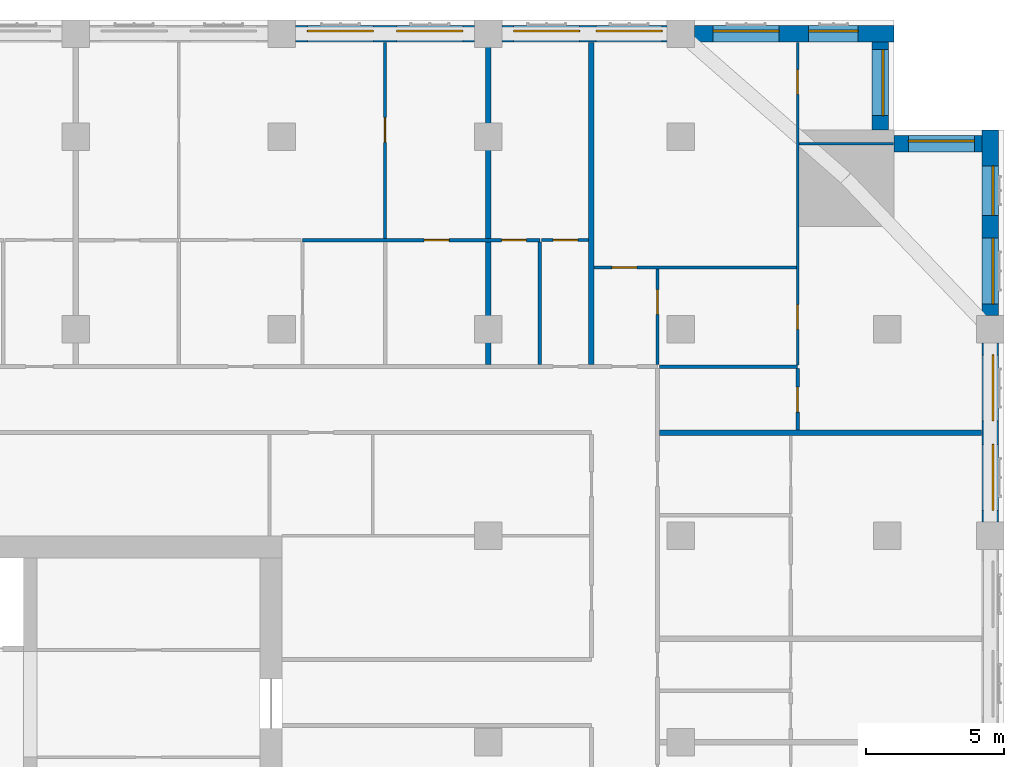
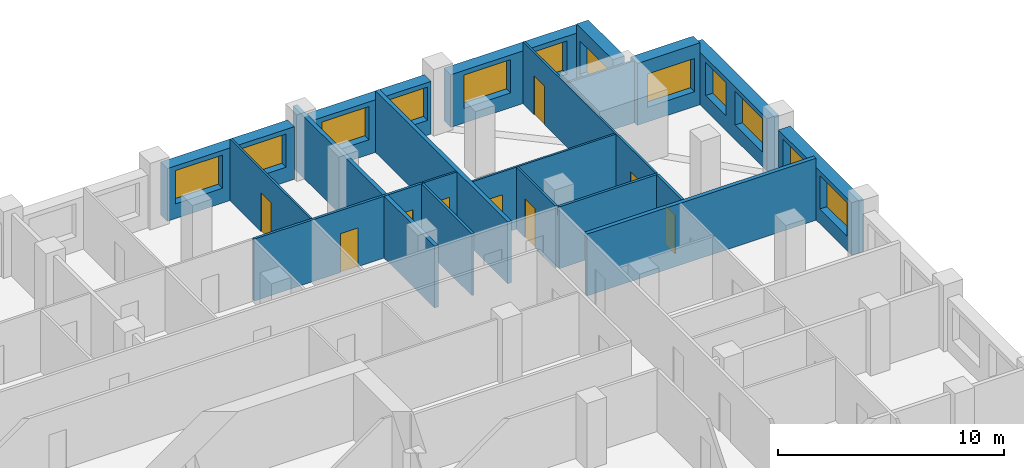
# One storey, part 11 of 14: 20 walls, 12 windows, 9 doors, 21 openings.
"""IFC4 building model written with IfcOpenShell, lengths in metres."""

from ifc_helpers import new_model, si_unit, direction, frame, frame_2d, origin, place, context, subcontext, project, spatial, rectangle, extrude, material, layer, layer_set, type_object, element, fill, save


model = new_model("IFC4")

# Units and contexts
model_context = context("Model", 3, precision=1e-05, world=origin(), true_north=direction((0.0, 1.0)))
body_context = subcontext(model_context, "Body", "Model", "MODEL_VIEW")
ifc_project = project(units=[si_unit("LENGTHUNIT", "METRE"), si_unit("AREAUNIT", "SQUARE_METRE"), si_unit("VOLUMEUNIT", "CUBIC_METRE"), si_unit("PLANEANGLEUNIT", "RADIAN"), si_unit("MASSUNIT", "GRAM", prefix="KILO")], contexts=[model_context])

# Site, building, storey
site_placement = place(None, origin())
site = spatial("IfcSite", under=ifc_project, at=site_placement, CompositionType="ELEMENT")
building_placement = place(site_placement, origin())
building = spatial("IfcBuilding", under=site, at=building_placement, Name="Tamorin Gate", CompositionType="ELEMENT")
storey_placement = place(building_placement, frame((0.0, 0.0, 155.39990234375)))
storey = spatial("IfcBuildingStorey", under=building, at=storey_placement, Name="L38", CompositionType="ELEMENT", Elevation=155.39990234375)

# Wall, openings, windows
ifc_material_1 = material(Name="Precast concrete C40/50", Category="concrete")
ifc_layer_1 = layer(ifc_material_1, 0.60009765625)
ifc_layer_set_1 = layer_set([ifc_layer_1], Name="Precast concrete C40/50")
wall_type_1 = type_object("IfcWallType", Name="Board-marked concrete facade panel 600", PredefinedType="SOLIDWALL", material=ifc_layer_set_1)
wall_1_placement = place(storey_placement, frame((85.75, 83.0, 0.0), z_axis=(0.0, 0.0, 1.0), x_axis=(0.0, 1.0, 0.0)))
wall_1 = element("IfcWall", 1, at=wall_1_placement, inside=storey, type_object=wall_type_1, Name="Facade panel", PredefinedType="SOLIDWALL", context=body_context, shape_type="SweptSolid", body=[
    extrude(rectangle(XDim=6.5, YDim=0.60009765625, at=frame_2d((3.25, 0.0))), origin(), (0.0, 0.0, 1.0), 2.85009765625),
])
opening_1_placement = place(wall_1_placement, frame((0.425048828125, 0.0, 0.800048828125)))
opening_1 = element("IfcOpeningElement", 2, at=opening_1_placement, cuts=wall_1, Name="Opening WN1", PredefinedType="OPENING", context=body_context, shape_type="SweptSolid", body=[
    extrude(rectangle(XDim=2.39990234375, YDim=1.800048828125, at=frame_2d((1.199951171875, 0.89990234375))), frame((0.0, 0.31005859375, 0.0), z_axis=(0.0, -1.0, 0.0), x_axis=(1.0, 0.0, 0.0)), (0.0, 0.0, 1.0), 0.6201171875),
])
opening_2_placement = place(wall_1_placement, frame((3.675048828125, 0.0, 0.800048828125)))
opening_2 = element("IfcOpeningElement", 3, at=opening_2_placement, cuts=wall_1, Name="Opening WN1", PredefinedType="OPENING", context=body_context, shape_type="SweptSolid", body=[
    extrude(rectangle(XDim=2.39990234375, YDim=1.800048828125, at=frame_2d((1.199951171875, 0.89990234375))), frame((0.0, 0.31005859375, 0.0), z_axis=(0.0, -1.0, 0.0), x_axis=(1.0, 0.0, 0.0)), (0.0, 0.0, 1.0), 0.6201171875),
])
ifc_material_2 = material(Name="Clear glass in aluminium frame", Category="aluminium")
window_type_1 = type_object("IfcWindowType", Name="Deep-set window 2400x1800", PartitioningType="SINGLE_PANEL", PredefinedType="WINDOW", material=ifc_material_2)
window_1_placement = place(opening_1_placement, origin())
window_1 = element("IfcWindow", 4, at=window_1_placement, inside=storey, type_object=window_type_1, Name="Deep-set window", OverallHeight=1.800048828125, OverallWidth=2.39990234375, PartitioningType="SINGLE_PANEL", PredefinedType="WINDOW", context=body_context, shape_type="SweptSolid", body=[
    extrude(rectangle(XDim=2.39990234375, YDim=1.800048828125, at=frame_2d((1.199951171875, 0.89990234375))), frame((0.0, -0.070068359375, 0.0), z_axis=(0.0, -1.0, 0.0), x_axis=(1.0, 0.0, 0.0)), (0.0, 0.0, 1.0), 0.06005859375),
])
fill(opening_1, window_1)
window_2_placement = place(opening_2_placement, origin())
window_2 = element("IfcWindow", 5, at=window_2_placement, inside=storey, type_object=window_type_1, Name="Deep-set window", OverallHeight=1.800048828125, OverallWidth=2.39990234375, PartitioningType="SINGLE_PANEL", PredefinedType="WINDOW", context=body_context, shape_type="SweptSolid", body=[
    extrude(rectangle(XDim=2.39990234375, YDim=1.800048828125, at=frame_2d((1.199951171875, 0.89990234375))), frame((0.0, -0.070068359375, 0.0), z_axis=(0.0, -1.0, 0.0), x_axis=(1.0, 0.0, 0.0)), (0.0, 0.0, 1.0), 0.06005859375),
])
fill(opening_2, window_2)

wall_2_placement = place(storey_placement, frame((85.75, 90.5, 0.0), z_axis=(0.0, 0.0, 1.0), x_axis=(0.0, 1.0, 0.0)))
wall_2 = element("IfcWall", 6, at=wall_2_placement, inside=storey, type_object=wall_type_1, Name="Facade panel", PredefinedType="SOLIDWALL", context=body_context, shape_type="SweptSolid", body=[
    extrude(rectangle(XDim=6.75, YDim=0.60009765625, at=frame_2d((3.375, 0.0))), origin(), (0.0, 0.0, 1.0), 2.85009765625),
])
opening_3_placement = place(wall_2_placement, frame((0.425048828125, 0.0, 0.800048828125)))
opening_3 = element("IfcOpeningElement", 7, at=opening_3_placement, cuts=wall_2, Name="Opening WN1", PredefinedType="OPENING", context=body_context, shape_type="SweptSolid", body=[
    extrude(rectangle(XDim=2.39990234375, YDim=1.800048828125, at=frame_2d((1.199951171875, 0.89990234375))), frame((0.0, 0.31005859375, 0.0), z_axis=(0.0, -1.0, 0.0), x_axis=(1.0, 0.0, 0.0)), (0.0, 0.0, 1.0), 0.6201171875),
])
opening_4_placement = place(wall_2_placement, frame((3.64990234375, 0.0, 0.800048828125)))
opening_4 = element("IfcOpeningElement", 8, at=opening_4_placement, cuts=wall_2, Name="Opening WN2", PredefinedType="OPENING", context=body_context, shape_type="SweptSolid", body=[
    extrude(rectangle(XDim=1.800048828125, YDim=1.800048828125, at=frame_2d((0.89990234375, 0.89990234375))), frame((0.0, 0.31005859375, 0.0), z_axis=(0.0, -1.0, 0.0), x_axis=(1.0, 0.0, 0.0)), (0.0, 0.0, 1.0), 0.6201171875),
])
window_type_2 = type_object("IfcWindowType", Name="Deep-set window 1800x1800", PartitioningType="SINGLE_PANEL", PredefinedType="WINDOW", material=ifc_material_2)
window_3_placement = place(opening_4_placement, origin())
window_3 = element("IfcWindow", 9, at=window_3_placement, inside=storey, type_object=window_type_2, Name="Deep-set window", OverallHeight=1.800048828125, OverallWidth=1.800048828125, PartitioningType="SINGLE_PANEL", PredefinedType="WINDOW", context=body_context, shape_type="SweptSolid", body=[
    extrude(rectangle(XDim=1.800048828125, YDim=1.800048828125, at=frame_2d((0.89990234375, 0.89990234375))), frame((0.0, -0.070068359375, 0.0), z_axis=(0.0, -1.0, 0.0), x_axis=(1.0, 0.0, 0.0)), (0.0, 0.0, 1.0), 0.06005859375),
])
fill(opening_4, window_3)
window_4_placement = place(opening_3_placement, origin())
window_4 = element("IfcWindow", 10, at=window_4_placement, inside=storey, type_object=window_type_1, Name="Deep-set window", OverallHeight=1.800048828125, OverallWidth=2.39990234375, PartitioningType="SINGLE_PANEL", PredefinedType="WINDOW", context=body_context, shape_type="SweptSolid", body=[
    extrude(rectangle(XDim=2.39990234375, YDim=1.800048828125, at=frame_2d((1.199951171875, 0.89990234375))), frame((0.0, -0.070068359375, 0.0), z_axis=(0.0, -1.0, 0.0), x_axis=(1.0, 0.0, 0.0)), (0.0, 0.0, 1.0), 0.06005859375),
])
fill(opening_3, window_4)

# Wall, opening, window
wall_3_placement = place(storey_placement, frame((85.449951171875, 96.75, 0.0), z_axis=(0.0, 0.0, 1.0), x_axis=(-1.0, 0.0, 0.0)))
wall_3 = element("IfcWall", 11, at=wall_3_placement, inside=storey, type_object=wall_type_1, Name="Facade panel", PredefinedType="SOLIDWALL", context=body_context, shape_type="SweptSolid", body=[
    extrude(rectangle(XDim=3.199951171875, YDim=0.60009765625, at=frame_2d((1.60009765625, 0.0))), origin(), (0.0, 0.0, 1.0), 3.35009765625),
])
opening_5_placement = place(wall_3_placement, frame((0.27490234375, 0.0, 0.800048828125)))
opening_5 = element("IfcOpeningElement", 12, at=opening_5_placement, cuts=wall_3, Name="Opening WN1", PredefinedType="OPENING", context=body_context, shape_type="SweptSolid", body=[
    extrude(rectangle(XDim=2.39990234375, YDim=1.800048828125, at=frame_2d((1.199951171875, 0.89990234375))), frame((0.0, 0.31005859375, 0.0), z_axis=(0.0, -1.0, 0.0), x_axis=(1.0, 0.0, 0.0)), (0.0, 0.0, 1.0), 0.6201171875),
])
window_5_placement = place(opening_5_placement, origin())
window_5 = element("IfcWindow", 13, at=window_5_placement, inside=storey, type_object=window_type_1, Name="Deep-set window", OverallHeight=1.800048828125, OverallWidth=2.39990234375, PartitioningType="SINGLE_PANEL", PredefinedType="WINDOW", context=body_context, shape_type="SweptSolid", body=[
    extrude(rectangle(XDim=2.39990234375, YDim=1.800048828125, at=frame_2d((1.199951171875, 0.89990234375))), frame((0.0, -0.070068359375, 0.0), z_axis=(0.0, -1.0, 0.0), x_axis=(1.0, 0.0, 0.0)), (0.0, 0.0, 1.0), 0.06005859375),
])
fill(opening_5, window_5)

wall_4_placement = place(storey_placement, frame((81.75, 97.25, 0.0), z_axis=(0.0, 0.0, 1.0), x_axis=(0.0, 1.0, 0.0)))
wall_4 = element("IfcWall", 14, at=wall_4_placement, inside=storey, type_object=wall_type_1, Name="Facade panel", PredefinedType="SOLIDWALL", context=body_context, shape_type="SweptSolid", body=[
    extrude(rectangle(XDim=3.199951171875, YDim=0.60009765625, at=frame_2d((1.60009765625, 0.0))), origin(), (0.0, 0.0, 1.0), 3.35009765625),
])
opening_6_placement = place(wall_4_placement, frame((0.52490234375, 0.0, 0.800048828125)))
opening_6 = element("IfcOpeningElement", 15, at=opening_6_placement, cuts=wall_4, Name="Opening WN1", PredefinedType="OPENING", context=body_context, shape_type="SweptSolid", body=[
    extrude(rectangle(XDim=2.39990234375, YDim=1.800048828125, at=frame_2d((1.199951171875, 0.89990234375))), frame((0.0, 0.31005859375, 0.0), z_axis=(0.0, -1.0, 0.0), x_axis=(1.0, 0.0, 0.0)), (0.0, 0.0, 1.0), 0.6201171875),
])
window_6_placement = place(opening_6_placement, origin())
window_6 = element("IfcWindow", 16, at=window_6_placement, inside=storey, type_object=window_type_1, Name="Deep-set window", OverallHeight=1.800048828125, OverallWidth=2.39990234375, PartitioningType="SINGLE_PANEL", PredefinedType="WINDOW", context=body_context, shape_type="SweptSolid", body=[
    extrude(rectangle(XDim=2.39990234375, YDim=1.800048828125, at=frame_2d((1.199951171875, 0.89990234375))), frame((0.0, -0.070068359375, 0.0), z_axis=(0.0, -1.0, 0.0), x_axis=(1.0, 0.0, 0.0)), (0.0, 0.0, 1.0), 0.06005859375),
])
fill(opening_6, window_6)

# Wall, openings, windows
wall_5_placement = place(storey_placement, frame((82.25, 100.75, 0.0), z_axis=(0.0, 0.0, 1.0), x_axis=(-1.0, 0.0, 0.0)))
wall_5 = element("IfcWall", 17, at=wall_5_placement, inside=storey, type_object=wall_type_1, Name="Facade panel", PredefinedType="SOLIDWALL", context=body_context, shape_type="SweptSolid", body=[
    extrude(rectangle(XDim=7.25, YDim=0.60009765625, at=frame_2d((3.625, 0.0))), origin(), (0.0, 0.0, 1.0), 2.85009765625),
])
opening_7_placement = place(wall_5_placement, frame((4.175048828125, 0.0, 0.800048828125)))
opening_7 = element("IfcOpeningElement", 18, at=opening_7_placement, cuts=wall_5, Name="Opening WN1", PredefinedType="OPENING", context=body_context, shape_type="SweptSolid", body=[
    extrude(rectangle(XDim=2.39990234375, YDim=1.800048828125, at=frame_2d((1.199951171875, 0.89990234375))), frame((0.0, 0.31005859375, 0.0), z_axis=(0.0, -1.0, 0.0), x_axis=(1.0, 0.0, 0.0)), (0.0, 0.0, 1.0), 0.6201171875),
])
opening_8_placement = place(wall_5_placement, frame((1.300048828125, 0.0, 0.800048828125)))
opening_8 = element("IfcOpeningElement", 19, at=opening_8_placement, cuts=wall_5, Name="Opening WN2", PredefinedType="OPENING", context=body_context, shape_type="SweptSolid", body=[
    extrude(rectangle(XDim=1.800048828125, YDim=1.800048828125, at=frame_2d((0.89990234375, 0.89990234375))), frame((0.0, 0.31005859375, 0.0), z_axis=(0.0, -1.0, 0.0), x_axis=(1.0, 0.0, 0.0)), (0.0, 0.0, 1.0), 0.6201171875),
])
window_7_placement = place(opening_8_placement, origin())
window_7 = element("IfcWindow", 20, at=window_7_placement, inside=storey, type_object=window_type_2, Name="Deep-set window", OverallHeight=1.800048828125, OverallWidth=1.800048828125, PartitioningType="SINGLE_PANEL", PredefinedType="WINDOW", context=body_context, shape_type="SweptSolid", body=[
    extrude(rectangle(XDim=1.800048828125, YDim=1.800048828125, at=frame_2d((0.89990234375, 0.89990234375))), frame((0.0, -0.070068359375, 0.0), z_axis=(0.0, -1.0, 0.0), x_axis=(1.0, 0.0, 0.0)), (0.0, 0.0, 1.0), 0.06005859375),
])
fill(opening_8, window_7)
window_8_placement = place(opening_7_placement, origin())
window_8 = element("IfcWindow", 21, at=window_8_placement, inside=storey, type_object=window_type_1, Name="Deep-set window", OverallHeight=1.800048828125, OverallWidth=2.39990234375, PartitioningType="SINGLE_PANEL", PredefinedType="WINDOW", context=body_context, shape_type="SweptSolid", body=[
    extrude(rectangle(XDim=2.39990234375, YDim=1.800048828125, at=frame_2d((1.199951171875, 0.89990234375))), frame((0.0, -0.070068359375, 0.0), z_axis=(0.0, -1.0, 0.0), x_axis=(1.0, 0.0, 0.0)), (0.0, 0.0, 1.0), 0.06005859375),
])
fill(opening_7, window_8)

wall_6_placement = place(storey_placement, frame((74.0, 100.75, 0.0), z_axis=(0.0, 0.0, 1.0), x_axis=(-1.0, 0.0, 0.0)))
wall_6 = element("IfcWall", 22, at=wall_6_placement, inside=storey, type_object=wall_type_1, Name="Facade panel", PredefinedType="SOLIDWALL", context=body_context, shape_type="SweptSolid", body=[
    extrude(rectangle(XDim=6.0, YDim=0.60009765625, at=frame_2d((3.0, 0.0))), origin(), (0.0, 0.0, 1.0), 2.85009765625),
])
opening_9_placement = place(wall_6_placement, frame((3.175048828125, 0.0, 0.800048828125)))
opening_9 = element("IfcOpeningElement", 23, at=opening_9_placement, cuts=wall_6, Name="Opening WN1", PredefinedType="OPENING", context=body_context, shape_type="SweptSolid", body=[
    extrude(rectangle(XDim=2.39990234375, YDim=1.800048828125, at=frame_2d((1.199951171875, 0.89990234375))), frame((0.0, 0.31005859375, 0.0), z_axis=(0.0, -1.0, 0.0), x_axis=(1.0, 0.0, 0.0)), (0.0, 0.0, 1.0), 0.6201171875),
])
opening_10_placement = place(wall_6_placement, frame((0.175048828125, 0.0, 0.800048828125)))
opening_10 = element("IfcOpeningElement", 24, at=opening_10_placement, cuts=wall_6, Name="Opening WN1", PredefinedType="OPENING", context=body_context, shape_type="SweptSolid", body=[
    extrude(rectangle(XDim=2.39990234375, YDim=1.800048828125, at=frame_2d((1.199951171875, 0.89990234375))), frame((0.0, 0.31005859375, 0.0), z_axis=(0.0, -1.0, 0.0), x_axis=(1.0, 0.0, 0.0)), (0.0, 0.0, 1.0), 0.6201171875),
])
window_9_placement = place(opening_9_placement, origin())
window_9 = element("IfcWindow", 25, at=window_9_placement, inside=storey, type_object=window_type_1, Name="Deep-set window", OverallHeight=1.800048828125, OverallWidth=2.39990234375, PartitioningType="SINGLE_PANEL", PredefinedType="WINDOW", context=body_context, shape_type="SweptSolid", body=[
    extrude(rectangle(XDim=2.39990234375, YDim=1.800048828125, at=frame_2d((1.199951171875, 0.89990234375))), frame((0.0, -0.070068359375, 0.0), z_axis=(0.0, -1.0, 0.0), x_axis=(1.0, 0.0, 0.0)), (0.0, 0.0, 1.0), 0.06005859375),
])
fill(opening_9, window_9)
window_10_placement = place(opening_10_placement, origin())
window_10 = element("IfcWindow", 26, at=window_10_placement, inside=storey, type_object=window_type_1, Name="Deep-set window", OverallHeight=1.800048828125, OverallWidth=2.39990234375, PartitioningType="SINGLE_PANEL", PredefinedType="WINDOW", context=body_context, shape_type="SweptSolid", body=[
    extrude(rectangle(XDim=2.39990234375, YDim=1.800048828125, at=frame_2d((1.199951171875, 0.89990234375))), frame((0.0, -0.070068359375, 0.0), z_axis=(0.0, -1.0, 0.0), x_axis=(1.0, 0.0, 0.0)), (0.0, 0.0, 1.0), 0.06005859375),
])
fill(opening_10, window_10)

wall_7_placement = place(storey_placement, frame((67.0, 100.75, 0.0), z_axis=(0.0, 0.0, 1.0), x_axis=(-1.0, 0.0, 0.0)))
wall_7 = element("IfcWall", 27, at=wall_7_placement, inside=storey, type_object=wall_type_1, Name="Facade panel", PredefinedType="SOLIDWALL", context=body_context, shape_type="SweptSolid", body=[
    extrude(rectangle(XDim=6.5, YDim=0.60009765625, at=frame_2d((3.25, 0.0))), origin(), (0.0, 0.0, 1.0), 2.85009765625),
])
opening_11_placement = place(wall_7_placement, frame((3.675048828125, 0.0, 0.800048828125)))
opening_11 = element("IfcOpeningElement", 28, at=opening_11_placement, cuts=wall_7, Name="Opening WN1", PredefinedType="OPENING", context=body_context, shape_type="SweptSolid", body=[
    extrude(rectangle(XDim=2.39990234375, YDim=1.800048828125, at=frame_2d((1.199951171875, 0.89990234375))), frame((0.0, 0.31005859375, 0.0), z_axis=(0.0, -1.0, 0.0), x_axis=(1.0, 0.0, 0.0)), (0.0, 0.0, 1.0), 0.6201171875),
])
opening_12_placement = place(wall_7_placement, frame((0.425048828125, 0.0, 0.800048828125)))
opening_12 = element("IfcOpeningElement", 29, at=opening_12_placement, cuts=wall_7, Name="Opening WN1", PredefinedType="OPENING", context=body_context, shape_type="SweptSolid", body=[
    extrude(rectangle(XDim=2.39990234375, YDim=1.800048828125, at=frame_2d((1.199951171875, 0.89990234375))), frame((0.0, 0.31005859375, 0.0), z_axis=(0.0, -1.0, 0.0), x_axis=(1.0, 0.0, 0.0)), (0.0, 0.0, 1.0), 0.6201171875),
])
window_11_placement = place(opening_11_placement, origin())
window_11 = element("IfcWindow", 30, at=window_11_placement, inside=storey, type_object=window_type_1, Name="Deep-set window", OverallHeight=1.800048828125, OverallWidth=2.39990234375, PartitioningType="SINGLE_PANEL", PredefinedType="WINDOW", context=body_context, shape_type="SweptSolid", body=[
    extrude(rectangle(XDim=2.39990234375, YDim=1.800048828125, at=frame_2d((1.199951171875, 0.89990234375))), frame((0.0, -0.070068359375, 0.0), z_axis=(0.0, -1.0, 0.0), x_axis=(1.0, 0.0, 0.0)), (0.0, 0.0, 1.0), 0.06005859375),
])
fill(opening_11, window_11)
window_12_placement = place(opening_12_placement, origin())
window_12 = element("IfcWindow", 31, at=window_12_placement, inside=storey, type_object=window_type_1, Name="Deep-set window", OverallHeight=1.800048828125, OverallWidth=2.39990234375, PartitioningType="SINGLE_PANEL", PredefinedType="WINDOW", context=body_context, shape_type="SweptSolid", body=[
    extrude(rectangle(XDim=2.39990234375, YDim=1.800048828125, at=frame_2d((1.199951171875, 0.89990234375))), frame((0.0, -0.070068359375, 0.0), z_axis=(0.0, -1.0, 0.0), x_axis=(1.0, 0.0, 0.0)), (0.0, 0.0, 1.0), 0.06005859375),
])
fill(opening_12, window_12)

# Walls
ifc_material_3 = material(Name="Gypsum board partition")
ifc_layer_2 = layer(ifc_material_3, 0.199951171875)
ifc_layer_set_2 = layer_set([ifc_layer_2], Name="Demising wall 200")
wall_type_2 = type_object("IfcWallType", Name="Demising wall 200", PredefinedType="PARTITIONING", material=ifc_layer_set_2)
wall_8_placement = place(storey_placement, frame((73.72509765625, 86.25, 0.0), z_axis=(0.0, 0.0, 1.0), x_axis=(1.0, 0.0, 0.0)))
element("IfcWall", 32, at=wall_8_placement, inside=storey, type_object=wall_type_2, Name="Demising wall 200", PredefinedType="PARTITIONING", context=body_context, shape_type="SweptSolid", body=[
    extrude(rectangle(XDim=11.71484375, YDim=0.199951171875, at=frame_2d((5.857421875, 0.0))), origin(), (0.0, 0.0, 1.0), 3.35009765625),
])
wall_9_placement = place(storey_placement, frame((67.5, 88.72509765625, 0.0), z_axis=(0.0, 0.0, 1.0), x_axis=(0.0, 1.0, 0.0)))
element("IfcWall", 33, at=wall_9_placement, inside=storey, type_object=wall_type_2, Name="Demising wall 200", PredefinedType="PARTITIONING", context=body_context, shape_type="SweptSolid", body=[
    extrude(rectangle(XDim=12.52490234375, YDim=0.199951171875, at=frame_2d((6.262451171875, 0.0))), origin(), (0.0, 0.0, 1.0), 3.35009765625),
])
wall_10_placement = place(storey_placement, frame((71.25, 88.72509765625, 0.0), z_axis=(0.0, 0.0, 1.0), x_axis=(0.0, 1.0, 0.0)))
element("IfcWall", 34, at=wall_10_placement, inside=storey, type_object=wall_type_2, Name="Demising wall 200", PredefinedType="PARTITIONING", context=body_context, shape_type="SweptSolid", body=[
    extrude(rectangle(XDim=11.71484375, YDim=0.199951171875, at=frame_2d((5.857421875, 0.0))), origin(), (0.0, 0.0, 1.0), 3.35009765625),
])

# Wall, opening, door
ifc_layer_3 = layer(ifc_material_3, 0.10009765625)
ifc_layer_set_3 = layer_set([ifc_layer_3], Name="Room partition 100")
wall_type_3 = type_object("IfcWallType", Name="Room partition 100", PredefinedType="PARTITIONING", material=ifc_layer_set_3)
wall_11_placement = place(storey_placement, frame((71.35009765625, 92.25, 0.0), z_axis=(0.0, 0.0, 1.0), x_axis=(1.0, 0.0, 0.0)))
wall_11 = element("IfcWall", 35, at=wall_11_placement, inside=storey, type_object=wall_type_3, Name="Room partition 100", PredefinedType="PARTITIONING", context=body_context, shape_type="SweptSolid", body=[
    extrude(rectangle(XDim=7.349853515625, YDim=0.10009765625, at=frame_2d((3.6748046875, 0.0))), origin(), (0.0, 0.0, 1.0), 3.35009765625),
])
opening_13_placement = place(wall_11_placement, frame((0.64990234375, 0.0, 0.0)))
opening_13 = element("IfcOpeningElement", 36, at=opening_13_placement, cuts=wall_11, Name="Opening DS4066", PredefinedType="OPENING", context=body_context, shape_type="SweptSolid", body=[
    extrude(rectangle(XDim=0.89990234375, YDim=2.10009765625, at=frame_2d((0.449951171875, 1.050048828125))), frame((0.0, 0.06005859375, 0.0), z_axis=(0.0, -1.0, 0.0), x_axis=(1.0, 0.0, 0.0)), (0.0, 0.0, 1.0), 0.1201171875),
])
ifc_material_4 = material(Name="Timber door leaf", Category="wood")
door_type = type_object("IfcDoorType", Name="Door 900 x 2100", OperationType="NOTDEFINED", PredefinedType="DOOR", material=ifc_material_4)
door_1_placement = place(opening_13_placement, origin())
door_1 = element("IfcDoor", 37, at=door_1_placement, inside=storey, type_object=door_type, Name="Door DS4066", OperationType="SINGLE_SWING_LEFT", OverallHeight=2.10009765625, OverallWidth=0.89990234375, PredefinedType="DOOR", context=body_context, shape_type="SweptSolid", body=[
    extrude(rectangle(XDim=0.89990234375, YDim=2.10009765625, at=frame_2d((0.449951171875, 1.050048828125))), frame((0.0, 0.02490234375, 0.0), z_axis=(0.0, -1.0, 0.0), x_axis=(1.0, 0.0, 0.0)), (0.0, 0.0, 1.0), 0.050048828125),
])
fill(opening_13, door_1)

wall_12_placement = place(storey_placement, frame((69.4375, 93.25, 0.0), z_axis=(0.0, 0.0, 1.0), x_axis=(1.0, 0.0, 0.0)))
wall_12 = element("IfcWall", 38, at=wall_12_placement, inside=storey, type_object=wall_type_3, Name="Room partition 100", PredefinedType="PARTITIONING", context=body_context, shape_type="SweptSolid", body=[
    extrude(rectangle(XDim=1.71240234375, YDim=0.10009765625, at=frame_2d((0.856201171875, 0.0))), origin(), (0.0, 0.0, 1.0), 3.35009765625),
])
opening_14_placement = place(wall_12_placement, frame((0.425048828125, 0.0, 0.0)))
opening_14 = element("IfcOpeningElement", 39, at=opening_14_placement, cuts=wall_12, Name="Opening DS4042", PredefinedType="OPENING", context=body_context, shape_type="SweptSolid", body=[
    extrude(rectangle(XDim=0.89990234375, YDim=2.10009765625, at=frame_2d((0.449951171875, 1.050048828125))), frame((0.0, 0.06005859375, 0.0), z_axis=(0.0, -1.0, 0.0), x_axis=(1.0, 0.0, 0.0)), (0.0, 0.0, 1.0), 0.1201171875),
])
door_2_placement = place(opening_14_placement, origin())
door_2 = element("IfcDoor", 40, at=door_2_placement, inside=storey, type_object=door_type, Name="Door DS4042", OperationType="SINGLE_SWING_RIGHT", OverallHeight=2.10009765625, OverallWidth=0.89990234375, PredefinedType="DOOR", context=body_context, shape_type="SweptSolid", body=[
    extrude(rectangle(XDim=0.89990234375, YDim=2.10009765625, at=frame_2d((0.449951171875, 1.050048828125))), frame((0.0, 0.02490234375, 0.0), z_axis=(0.0, -1.0, 0.0), x_axis=(1.0, 0.0, 0.0)), (0.0, 0.0, 1.0), 0.050048828125),
])
fill(opening_14, door_2)

# Wall
wall_13_placement = place(storey_placement, frame((78.800048828125, 96.75, 0.0), z_axis=(0.0, 0.0, 1.0), x_axis=(1.0, 0.0, 0.0)))
element("IfcWall", 41, at=wall_13_placement, inside=storey, type_object=wall_type_3, Name="Room partition 100", PredefinedType="PARTITIONING", context=body_context, shape_type="SweptSolid", body=[
    extrude(rectangle(XDim=3.43994140625, YDim=0.10009765625, at=frame_2d((1.719970703125, 0.0))), origin(), (0.0, 0.0, 1.0), 3.35009765625),
])

# Wall, opening, door
wall_14_placement = place(storey_placement, frame((63.75, 93.3125, 0.0), z_axis=(0.0, 0.0, 1.0), x_axis=(0.0, 1.0, 0.0)))
wall_14 = element("IfcWall", 42, at=wall_14_placement, inside=storey, type_object=wall_type_3, Name="Room partition 100", PredefinedType="PARTITIONING", context=body_context, shape_type="SweptSolid", body=[
    extrude(rectangle(XDim=7.12744140625, YDim=0.10009765625, at=frame_2d((3.563720703125, 0.0))), origin(), (0.0, 0.0, 1.0), 3.35009765625),
])
opening_15_placement = place(wall_14_placement, frame((3.487548828125, 0.0, 0.0)))
opening_15 = element("IfcOpeningElement", 43, at=opening_15_placement, cuts=wall_14, Name="Opening DS4039", PredefinedType="OPENING", context=body_context, shape_type="SweptSolid", body=[
    extrude(rectangle(XDim=0.89990234375, YDim=2.10009765625, at=frame_2d((0.449951171875, 1.050048828125))), frame((0.0, 0.06005859375, 0.0), z_axis=(0.0, -1.0, 0.0), x_axis=(1.0, 0.0, 0.0)), (0.0, 0.0, 1.0), 0.1201171875),
])
door_3_placement = place(opening_15_placement, origin())
door_3 = element("IfcDoor", 44, at=door_3_placement, inside=storey, type_object=door_type, Name="Door DS4039", OperationType="SINGLE_SWING_LEFT", OverallHeight=2.10009765625, OverallWidth=0.89990234375, PredefinedType="DOOR", context=body_context, shape_type="SweptSolid", body=[
    extrude(rectangle(XDim=0.89990234375, YDim=2.10009765625, at=frame_2d((0.449951171875, 1.050048828125))), frame((0.0, 0.02490234375, 0.0), z_axis=(0.0, -1.0, 0.0), x_axis=(1.0, 0.0, 0.0)), (0.0, 0.0, 1.0), 0.050048828125),
])
fill(opening_15, door_3)

wall_15_placement = place(storey_placement, frame((73.64990234375, 88.72509765625, 0.0), z_axis=(0.0, 0.0, 1.0), x_axis=(0.0, 1.0, 0.0)))
wall_15 = element("IfcWall", 45, at=wall_15_placement, inside=storey, type_object=wall_type_3, Name="Room partition 100", PredefinedType="PARTITIONING", context=body_context, shape_type="SweptSolid", body=[
    extrude(rectangle(XDim=3.474853515625, YDim=0.10009765625, at=frame_2d((1.7373046875, 0.0))), origin(), (0.0, 0.0, 1.0), 3.35009765625),
])
opening_16_placement = place(wall_15_placement, frame((1.824951171875, 0.0, 0.0)))
opening_16 = element("IfcOpeningElement", 46, at=opening_16_placement, cuts=wall_15, Name="Opening DS4067", PredefinedType="OPENING", context=body_context, shape_type="SweptSolid", body=[
    extrude(rectangle(XDim=0.89990234375, YDim=2.10009765625, at=frame_2d((0.449951171875, 1.050048828125))), frame((0.0, 0.06005859375, 0.0), z_axis=(0.0, -1.0, 0.0), x_axis=(1.0, 0.0, 0.0)), (0.0, 0.0, 1.0), 0.1201171875),
])
door_4_placement = place(opening_16_placement, origin())
door_4 = element("IfcDoor", 47, at=door_4_placement, inside=storey, type_object=door_type, Name="Door DS4067", OperationType="SINGLE_SWING_RIGHT", OverallHeight=2.10009765625, OverallWidth=0.89990234375, PredefinedType="DOOR", context=body_context, shape_type="SweptSolid", body=[
    extrude(rectangle(XDim=0.89990234375, YDim=2.10009765625, at=frame_2d((0.449951171875, 1.050048828125))), frame((0.0, 0.02490234375, 0.0), z_axis=(0.0, -1.0, 0.0), x_axis=(1.0, 0.0, 0.0)), (0.0, 0.0, 1.0), 0.050048828125),
])
fill(opening_16, door_4)

# Wall, openings, doors
wall_16_placement = place(storey_placement, frame((78.75, 88.71240234375, 0.0), z_axis=(0.0, 0.0, 1.0), x_axis=(0.0, 1.0, 0.0)))
wall_16 = element("IfcWall", 48, at=wall_16_placement, inside=storey, type_object=wall_type_3, Name="Room partition 100", PredefinedType="PARTITIONING", context=body_context, shape_type="SweptSolid", body=[
    extrude(rectangle(XDim=11.7275390625, YDim=0.10009765625, at=frame_2d((5.86376953125, 0.0))), origin(), (0.0, 0.0, 1.0), 3.35009765625),
])
opening_17_placement = place(wall_16_placement, frame((9.83740234375, 0.0, 0.0)))
opening_17 = element("IfcOpeningElement", 49, at=opening_17_placement, cuts=wall_16, Name="Opening DS4068", PredefinedType="OPENING", context=body_context, shape_type="SweptSolid", body=[
    extrude(rectangle(XDim=0.89990234375, YDim=2.10009765625, at=frame_2d((0.449951171875, 1.050048828125))), frame((0.0, 0.06005859375, 0.0), z_axis=(0.0, -1.0, 0.0), x_axis=(1.0, 0.0, 0.0)), (0.0, 0.0, 1.0), 0.1201171875),
])
opening_18_placement = place(wall_16_placement, frame((1.28759765625, 0.0, 0.0)))
opening_18 = element("IfcOpeningElement", 50, at=opening_18_placement, cuts=wall_16, Name="Opening DS4069", PredefinedType="OPENING", context=body_context, shape_type="SweptSolid", body=[
    extrude(rectangle(XDim=0.89990234375, YDim=2.10009765625, at=frame_2d((0.449951171875, 1.050048828125))), frame((0.0, 0.06005859375, 0.0), z_axis=(0.0, -1.0, 0.0), x_axis=(1.0, 0.0, 0.0)), (0.0, 0.0, 1.0), 0.1201171875),
])
door_5_placement = place(opening_17_placement, origin())
door_5 = element("IfcDoor", 51, at=door_5_placement, inside=storey, type_object=door_type, Name="Door DS4068", OperationType="SINGLE_SWING_LEFT", OverallHeight=2.10009765625, OverallWidth=0.89990234375, PredefinedType="DOOR", context=body_context, shape_type="SweptSolid", body=[
    extrude(rectangle(XDim=0.89990234375, YDim=2.10009765625, at=frame_2d((0.449951171875, 1.050048828125))), frame((0.0, 0.02490234375, 0.0), z_axis=(0.0, -1.0, 0.0), x_axis=(1.0, 0.0, 0.0)), (0.0, 0.0, 1.0), 0.050048828125),
])
fill(opening_17, door_5)
door_6_placement = place(opening_18_placement, origin())
door_6 = element("IfcDoor", 52, at=door_6_placement, inside=storey, type_object=door_type, Name="Door DS4069", OperationType="SINGLE_SWING_RIGHT", OverallHeight=2.10009765625, OverallWidth=0.89990234375, PredefinedType="DOOR", context=body_context, shape_type="SweptSolid", body=[
    extrude(rectangle(XDim=0.89990234375, YDim=2.10009765625, at=frame_2d((0.449951171875, 1.050048828125))), frame((0.0, 0.02490234375, 0.0), z_axis=(0.0, -1.0, 0.0), x_axis=(1.0, 0.0, 0.0)), (0.0, 0.0, 1.0), 0.050048828125),
])
fill(opening_18, door_6)

# Wall
ifc_layer_4 = layer(ifc_material_3, 0.125)
ifc_layer_set_4 = layer_set([ifc_layer_4], Name="Wet wall 125")
wall_type_4 = type_object("IfcWallType", Name="Wet wall 125", PredefinedType="PARTITIONING", material=ifc_layer_set_4)
wall_17_placement = place(storey_placement, frame((73.72509765625, 88.64990234375, 0.0), z_axis=(0.0, 0.0, 1.0), x_axis=(1.0, 0.0, 0.0)))
element("IfcWall", 53, at=wall_17_placement, inside=storey, type_object=wall_type_4, Name="Wet wall 125", PredefinedType="PARTITIONING", context=body_context, shape_type="SweptSolid", body=[
    extrude(rectangle(XDim=5.02490234375, YDim=0.125, at=frame_2d((2.512451171875, 0.0))), origin(), (0.0, 0.0, 1.0), 3.35009765625),
])

# Wall, openings, doors
wall_18_placement = place(storey_placement, frame((60.75, 93.25, 0.0), z_axis=(0.0, 0.0, 1.0), x_axis=(1.0, 0.0, 0.0)))
wall_18 = element("IfcWall", 54, at=wall_18_placement, inside=storey, type_object=wall_type_4, Name="Wet wall 125", PredefinedType="PARTITIONING", context=body_context, shape_type="SweptSolid", body=[
    extrude(rectangle(XDim=8.625, YDim=0.125, at=frame_2d((4.3125, 0.0))), origin(), (0.0, 0.0, 1.0), 3.35009765625),
])
opening_19_placement = place(wall_18_placement, frame((4.425048828125, 0.0, 0.0)))
opening_19 = element("IfcOpeningElement", 55, at=opening_19_placement, cuts=wall_18, Name="Opening DS4037", PredefinedType="OPENING", context=body_context, shape_type="SweptSolid", body=[
    extrude(rectangle(XDim=0.89990234375, YDim=2.10009765625, at=frame_2d((0.449951171875, 1.050048828125))), frame((0.0, 0.072509765625, 0.0), z_axis=(0.0, -1.0, 0.0), x_axis=(1.0, 0.0, 0.0)), (0.0, 0.0, 1.0), 0.14501953125),
])
opening_20_placement = place(wall_18_placement, frame((7.237548828125, 0.0, 0.0)))
opening_20 = element("IfcOpeningElement", 56, at=opening_20_placement, cuts=wall_18, Name="Opening DS4040", PredefinedType="OPENING", context=body_context, shape_type="SweptSolid", body=[
    extrude(rectangle(XDim=0.89990234375, YDim=2.10009765625, at=frame_2d((0.449951171875, 1.050048828125))), frame((0.0, 0.072509765625, 0.0), z_axis=(0.0, -1.0, 0.0), x_axis=(1.0, 0.0, 0.0)), (0.0, 0.0, 1.0), 0.14501953125),
])
door_7_placement = place(opening_19_placement, origin())
door_7 = element("IfcDoor", 57, at=door_7_placement, inside=storey, type_object=door_type, Name="Door DS4037", OperationType="SINGLE_SWING_RIGHT", OverallHeight=2.10009765625, OverallWidth=0.89990234375, PredefinedType="DOOR", context=body_context, shape_type="SweptSolid", body=[
    extrude(rectangle(XDim=0.89990234375, YDim=2.10009765625, at=frame_2d((0.449951171875, 1.050048828125))), frame((0.0, 0.02490234375, 0.0), z_axis=(0.0, -1.0, 0.0), x_axis=(1.0, 0.0, 0.0)), (0.0, 0.0, 1.0), 0.050048828125),
])
fill(opening_19, door_7)
door_8_placement = place(opening_20_placement, origin())
door_8 = element("IfcDoor", 58, at=door_8_placement, inside=storey, type_object=door_type, Name="Door DS4040", OperationType="SINGLE_SWING_RIGHT", OverallHeight=2.10009765625, OverallWidth=0.89990234375, PredefinedType="DOOR", context=body_context, shape_type="SweptSolid", body=[
    extrude(rectangle(XDim=0.89990234375, YDim=2.10009765625, at=frame_2d((0.449951171875, 1.050048828125))), frame((0.0, 0.02490234375, 0.0), z_axis=(0.0, -1.0, 0.0), x_axis=(1.0, 0.0, 0.0)), (0.0, 0.0, 1.0), 0.050048828125),
])
fill(opening_20, door_8)

# Wall
wall_19_placement = place(storey_placement, frame((69.375, 88.72509765625, 0.0), z_axis=(0.0, 0.0, 1.0), x_axis=(0.0, 1.0, 0.0)))
element("IfcWall", 59, at=wall_19_placement, inside=storey, type_object=wall_type_4, Name="Wet wall 125", PredefinedType="PARTITIONING", context=body_context, shape_type="SweptSolid", body=[
    extrude(rectangle(XDim=4.46240234375, YDim=0.125, at=frame_2d((2.231201171875, 0.0))), origin(), (0.0, 0.0, 1.0), 3.35009765625),
])

# Wall, opening, door
wall_20_placement = place(storey_placement, frame((78.75, 86.35009765625, 0.0), z_axis=(0.0, 0.0, 1.0), x_axis=(0.0, 1.0, 0.0)))
wall_20 = element("IfcWall", 60, at=wall_20_placement, inside=storey, type_object=wall_type_4, Name="Wet wall 125", PredefinedType="PARTITIONING", context=body_context, shape_type="SweptSolid", body=[
    extrude(rectangle(XDim=2.2373046875, YDim=0.125, at=frame_2d((1.11865234375, 0.0))), origin(), (0.0, 0.0, 1.0), 3.35009765625),
])
opening_21_placement = place(wall_20_placement, frame((0.64990234375, 0.0, 0.0)))
opening_21 = element("IfcOpeningElement", 61, at=opening_21_placement, cuts=wall_20, Name="Opening DS4070", PredefinedType="OPENING", context=body_context, shape_type="SweptSolid", body=[
    extrude(rectangle(XDim=0.89990234375, YDim=2.10009765625, at=frame_2d((0.449951171875, 1.050048828125))), frame((0.0, 0.072509765625, 0.0), z_axis=(0.0, -1.0, 0.0), x_axis=(1.0, 0.0, 0.0)), (0.0, 0.0, 1.0), 0.14501953125),
])
door_9_placement = place(opening_21_placement, origin())
door_9 = element("IfcDoor", 62, at=door_9_placement, inside=storey, type_object=door_type, Name="Door DS4070", OperationType="SINGLE_SWING_LEFT", OverallHeight=2.10009765625, OverallWidth=0.89990234375, PredefinedType="DOOR", context=body_context, shape_type="SweptSolid", body=[
    extrude(rectangle(XDim=0.89990234375, YDim=2.10009765625, at=frame_2d((0.449951171875, 1.050048828125))), frame((0.0, 0.02490234375, 0.0), z_axis=(0.0, -1.0, 0.0), x_axis=(1.0, 0.0, 0.0)), (0.0, 0.0, 1.0), 0.050048828125),
])
fill(opening_21, door_9)

save(model, "model.ifc")
